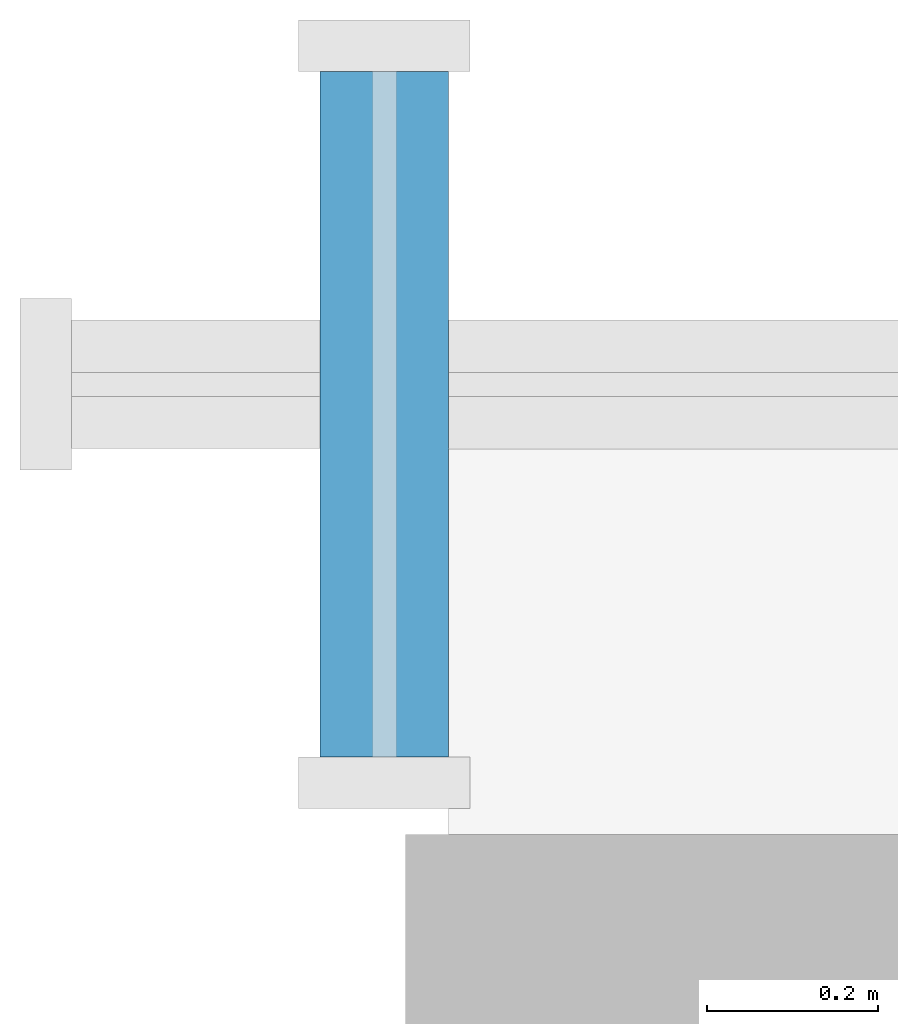
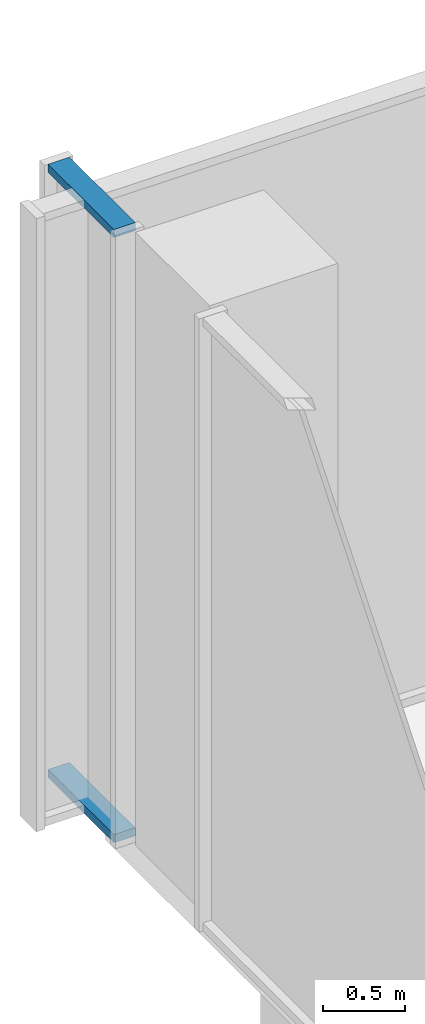
# One storey, part 16 of 33: 2 members, 1 element without a shape of its own.
"""IFC4 building model written with IfcOpenShell, lengths in metres."""

from ifc_helpers import new_model, si_unit, direction, frame, origin, origin_2d, place, context, subcontext, project, spatial, rectangle, extrude, material, material_profile, profile_set, type_object, element, aggregate, save


model = new_model("IFC4")

# Units and contexts
model_context = context("Model", 3, precision=1e-05, world=origin(), true_north=direction((0.0, 1.0)))
body_context = subcontext(model_context, "Body", "Model", "MODEL_VIEW")
ifc_project = project(units=[si_unit("LENGTHUNIT", "METRE"), si_unit("AREAUNIT", "SQUARE_METRE"), si_unit("VOLUMEUNIT", "CUBIC_METRE"), si_unit("PLANEANGLEUNIT", "RADIAN"), si_unit("MASSUNIT", "GRAM", prefix="KILO")], contexts=[model_context])

# Site, building, storey
site_placement = place(None, origin())
site = spatial("IfcSite", under=ifc_project, at=site_placement, CompositionType="ELEMENT")
building_placement = place(site_placement, origin())
building = spatial("IfcBuilding", under=site, at=building_placement, Name="Tessera Gate Towers", CompositionType="ELEMENT")
storey_placement = place(building_placement, frame((0.0, 0.0, 7.199951171875)))
storey = spatial("IfcBuildingStorey", under=building, at=storey_placement, Name="L01", CompositionType="ELEMENT", Elevation=7.199951171875)

# Curtain wall, members
ifc_material_1 = material(Name="Aluminium frame", Category="aluminium")
curtain_wall_type = type_object("IfcCurtainWallType", Name="CW-S1 podium storefront", PredefinedType="NOTDEFINED", material=ifc_material_1)
curtain_wall_placement = place(storey_placement, origin())
curtain_wall = element("IfcCurtainWall", 1, at=curtain_wall_placement, inside=storey, type_object=curtain_wall_type, Name="Curtain wall podium storefront 0214", PredefinedType="NOTDEFINED")
ifc_material_2 = material(Name="Aluminium frame", Category="aluminium")
ifc_material_profile = material_profile(ifc_material_2, rectangle(XDim=0.14990234375, YDim=0.06005859375, at=origin_2d()), Name="AL 60x150")
ifc_profile_set = profile_set([ifc_material_profile], Name="Aluminium frame")
member_type = type_object("IfcMemberType", Name="TR-S1 transom 60x150", PredefinedType="USERDEFINED", material=ifc_profile_set)
member_1_placement = place(storey_placement, frame((0.425048828125, 59.340087890625, 0.030029296875), z_axis=(0.0, -1.0, 0.0), x_axis=(1.0, 0.0, 0.0)))
member_1 = element("IfcMember", 2, at=member_1_placement, type_object=member_type, Name="PD-CW1-0214 transom 1.1", ObjectType="TRANSOM", PredefinedType="USERDEFINED", context=body_context, shape_type="SweptSolid", body=[
    extrude(rectangle(XDim=0.14990234375, YDim=0.06005859375, at=origin_2d()), origin(), (0.0, 0.0, 1.0), 0.800048828125),
])
member_2_placement = place(storey_placement, frame((0.425048828125, 59.340087890625, 4.52001953125), z_axis=(0.0, -1.0, 0.0), x_axis=(1.0, 0.0, 0.0)))
member_2 = element("IfcMember", 3, at=member_2_placement, type_object=member_type, Name="PD-CW1-0214 transom 1.2", ObjectType="TRANSOM", PredefinedType="USERDEFINED", context=body_context, shape_type="SweptSolid", body=[
    extrude(rectangle(XDim=0.14990234375, YDim=0.06005859375, at=origin_2d()), origin(), (0.0, 0.0, 1.0), 0.800048828125),
])
aggregate(curtain_wall, [member_1, member_2])

save(model, "model.ifc")
